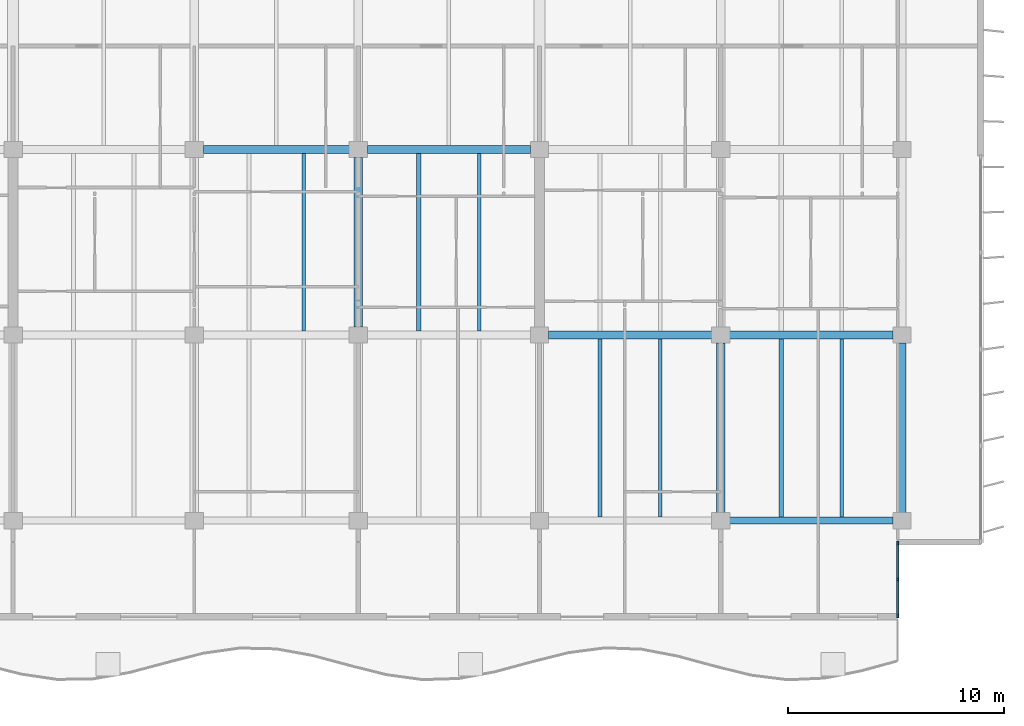
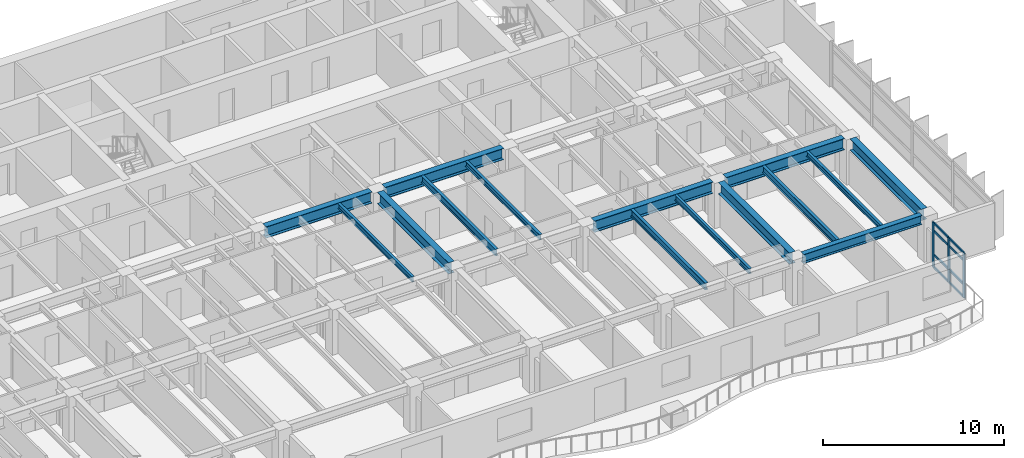
# One storey, part 4 of 19: 15 beams, 11 members, 1 element without a shape of its own.
"""IFC4 building model written with IfcOpenShell, lengths in metres."""

import ifcopenshell
import ifcopenshell.guid

model = None  # the IFC model being written
_history = None  # IfcOwnerHistory: only IFC2X3 demands one
_inside = {}  # id of a spatial element -> (the spatial element, [elements in it])
_under = {}  # id of a project, library or spatial element -> (it, [spatial elements below it])
_declared = {}  # id of a project -> (the project, [libraries it declares])
_typed = {}  # id of a type object -> (the type object, [elements of that type])
_made_of = {}  # id of a material, layer set ... -> (it, [elements and type objects made of it])


def new_model(schema):
    """Start an empty IFC model of exactly this schema.

    Asked for "IFC4X3", IfcOpenShell would pick the latest addendum, in which some entities
    have other attributes; the version numbers below select the first issue.
    IFC2X3 requires an IfcOwnerHistory on every rooted entity: one is made here for all.
    """
    global model, _history
    if schema == "IFC4X3":
        model = ifcopenshell.file(schema_version=(4, 3, 0, 0))
    else:
        model = ifcopenshell.file(schema=schema)
    _inside.clear()
    _under.clear()
    _declared.clear()
    _typed.clear()
    _made_of.clear()
    _history = None
    if model.schema == "IFC2X3":
        org = make("IfcOrganization", Name="unknown")
        user = make(
            "IfcPersonAndOrganization",
            ThePerson=make("IfcPerson", FamilyName="unknown"),
            TheOrganization=org,
        )
        app = make(
            "IfcApplication",
            ApplicationDeveloper=org,
            Version="unknown",
            ApplicationFullName="unknown",
            ApplicationIdentifier="unknown",
        )
        _history = make(
            "IfcOwnerHistory",
            OwningUser=user,
            OwningApplication=app,
            ChangeAction="ADDED",
            CreationDate=0,
        )
    return model


def make(cls, **values):
    """One entity of the class cls with the attributes given. An attribute that is None is left unset."""
    return model.create_entity(
        cls, **{name: value for name, value in values.items() if value is not None}
    )


def rooted(cls, **values):
    """An entity with a GlobalId (a new one), such as an element, a storey or a relation."""
    return make(cls, GlobalId=ifcopenshell.guid.new(), OwnerHistory=_history, **values)


def si_unit(unit_type, name, prefix=None):
    """IfcSIUnit, for example si_unit("LENGTHUNIT", "METRE", prefix="MILLI")."""
    return make("IfcSIUnit", UnitType=unit_type, Prefix=prefix, Name=name)


def assignment(units):
    """IfcUnitAssignment: the units of a project."""
    return None if units is None else make("IfcUnitAssignment", Units=units)


def point(xyz):
    """IfcCartesianPoint."""
    return None if xyz is None else make("IfcCartesianPoint", Coordinates=xyz)


def direction(xyz):
    """IfcDirection."""
    return None if xyz is None else make("IfcDirection", DirectionRatios=xyz)


def frame(location, z_axis=None, x_axis=None):
    """IfcAxis2Placement3D, a coordinate frame: its origin and axes. An axis left out is left unset."""
    return make(
        "IfcAxis2Placement3D",
        Location=point(location),
        Axis=direction(z_axis),
        RefDirection=direction(x_axis),
    )


def frame_2d(location, x_axis=None):
    """IfcAxis2Placement2D, a coordinate frame in the plane: its origin and x axis."""
    return make(
        "IfcAxis2Placement2D", Location=point(location), RefDirection=direction(x_axis)
    )


def origin():
    """The frame at (0, 0, 0) with its axes left unset."""
    return frame((0.0, 0.0, 0.0))


def origin_2d():
    """The frame at (0, 0) in the plane with its x axis left unset."""
    return frame_2d((0.0, 0.0))


def place(relative_to, where):
    """IfcLocalPlacement: puts the frame where relative to a parent placement (None: the world)."""
    return make(
        "IfcLocalPlacement", PlacementRelTo=relative_to, RelativePlacement=where
    )


def context(
    kind, dimensions, precision=None, world=None, true_north=None, identifier=None
):
    """IfcGeometricRepresentationContext, for example the 3D "Model" context."""
    return make(
        "IfcGeometricRepresentationContext",
        ContextIdentifier=identifier,
        ContextType=kind,
        CoordinateSpaceDimension=dimensions,
        Precision=precision,
        WorldCoordinateSystem=world,
        TrueNorth=true_north,
    )


def subcontext(parent, identifier, kind, view, scale=None):
    """IfcGeometricRepresentationSubContext, for example "Body" below "Model"."""
    return make(
        "IfcGeometricRepresentationSubContext",
        ContextIdentifier=identifier,
        ContextType=kind,
        ParentContext=parent,
        TargetScale=scale,
        TargetView=view,
    )


def project(units=None, contexts=None):
    """IfcProject with its units and contexts."""
    return rooted(
        "IfcProject",
        Name="project",
        RepresentationContexts=contexts,
        UnitsInContext=assignment(units),
    )


def spatial(cls, under=None, at=None, **own):
    """A site, building, storey or space (cls), placed at a placement, below another one or the project."""
    s = rooted(cls, ObjectPlacement=at, **own)
    if under is not None:
        _under.setdefault(under.id(), (under, []))[1].append(s)
    return s


def profile(cls, at=None, kind="AREA", **sizes):
    """A parametric profile (cls). Its sizes go by their IFC names, for example OverallWidth=200.0."""
    return make(cls, ProfileType=kind, Position=at, **sizes)


def rectangle(**sizes):
    """IfcRectangleProfileDef."""
    return profile("IfcRectangleProfileDef", **sizes)


def i_section(**sizes):
    """IfcIShapeProfileDef."""
    return profile("IfcIShapeProfileDef", **sizes)


def extrude(swept, where, along, depth):
    """IfcExtrudedAreaSolid: the profile swept, set in the frame where, extruded along a direction by depth."""
    return make(
        "IfcExtrudedAreaSolid",
        SweptArea=swept,
        Position=where,
        ExtrudedDirection=direction(along),
        Depth=depth,
    )


def shape(context_of_items, identifier, shape_type, items):
    """IfcShapeRepresentation: the items that make up one representation, for example the "Body"."""
    return make(
        "IfcShapeRepresentation",
        ContextOfItems=context_of_items,
        RepresentationIdentifier=identifier,
        RepresentationType=shape_type,
        Items=items,
    )


def material(Name=None, Category=None):
    """IfcMaterial."""
    return make("IfcMaterial", Name=Name, Category=Category)


def layer(
    of_material, thickness, ventilated=None, Name=None, Category=None, Priority=None
):
    """IfcMaterialLayer: one layer of a wall or slab, of a material (None: an air gap)."""
    return make(
        "IfcMaterialLayer",
        Material=of_material,
        LayerThickness=thickness,
        IsVentilated=ventilated,
        Name=Name,
        Category=Category,
        Priority=Priority,
    )


def layer_set(layers, Name=None):
    """IfcMaterialLayerSet."""
    return make("IfcMaterialLayerSet", MaterialLayers=layers, LayerSetName=Name)


def material_profile(
    of_material, cross_section, Name=None, Category=None, Priority=None
):
    """IfcMaterialProfile: a cross section and its material."""
    return make(
        "IfcMaterialProfile",
        Name=Name,
        Material=of_material,
        Profile=cross_section,
        Priority=Priority,
        Category=Category,
    )


def profile_set(profiles, Name=None, composite=None):
    """IfcMaterialProfileSet."""
    return make(
        "IfcMaterialProfileSet",
        Name=Name,
        MaterialProfiles=profiles,
        CompositeProfile=composite,
    )


def made_of(thing, what):
    """Note that an element or type object is made of a material, layer set ...; save() writes the relation."""
    if what is not None:
        _made_of.setdefault(what.id(), (what, []))[1].append(thing)
    return thing


def type_object(cls, material=None, **own):
    """A type object (cls), such as IfcWallType, which elements share."""
    return made_of(rooted(cls, **own), material)


def element(
    cls,
    number,
    at=None,
    inside=None,
    cuts=None,
    type_object=None,
    material=None,
    context=None,
    identifier="Body",
    shape_type=None,
    held_by="IfcProductDefinitionShape",
    body=None,
    shapes=None,
    **own,
):
    """One element of the class cls, such as IfcWall. Its Tag is "e" and its number.

    at: its placement. inside: the storey or other place that contains it. cuts: it is an
    opening in that element (IfcRelVoidsElement). A single representation is given by context,
    identifier, shape_type and body (its items); several are given by shapes. held_by: the class
    of the entity that holds the representations. save() writes the other relations.
    """
    e = rooted(cls, Tag="e%d" % number, ObjectPlacement=at, **own)
    if body is not None:
        shapes = [shape(context, identifier, shape_type, body)]
    if shapes is not None:
        e.Representation = make(held_by, Representations=shapes)
    if inside is not None:
        _inside.setdefault(inside.id(), (inside, []))[1].append(e)
    if cuts is not None:
        rooted(
            "IfcRelVoidsElement", RelatingBuildingElement=cuts, RelatedOpeningElement=e
        )
    if type_object is not None:
        _typed.setdefault(type_object.id(), (type_object, []))[1].append(e)
    return made_of(e, material)


def aggregate(whole, parts):
    """IfcRelAggregates: a whole, such as a stair, and the parts it consists of."""
    return rooted("IfcRelAggregates", RelatingObject=whole, RelatedObjects=parts)


def save(model, path):
    """Write the relations noted so far, then the file.

    IfcRelAggregates (storeys below a building ...), IfcRelContainedInSpatialStructure (elements
    in a storey), IfcRelDefinesByType, IfcRelAssociatesMaterial and IfcRelDeclares: one each for
    every whole, place, type object, material and project.
    """
    for whole, parts in _under.values():
        aggregate(whole, parts)
    for where, things in _inside.values():
        rooted(
            "IfcRelContainedInSpatialStructure",
            RelatedElements=things,
            RelatingStructure=where,
        )
    for kind, things in _typed.values():
        rooted("IfcRelDefinesByType", RelatedObjects=things, RelatingType=kind)
    for what, things in _made_of.values():
        rooted("IfcRelAssociatesMaterial", RelatedObjects=things, RelatingMaterial=what)
    for by, libraries in _declared.values():
        rooted("IfcRelDeclares", RelatingContext=by, RelatedDefinitions=libraries)
    model.write(path)


model = new_model("IFC4")

# Units and contexts
model_context = context("Model", 3, precision=1e-05, world=origin(), true_north=direction((0.0, 1.0)))
body_context = subcontext(model_context, "Body", "Model", "MODEL_VIEW")
ifc_project = project(units=[si_unit("LENGTHUNIT", "METRE"), si_unit("AREAUNIT", "SQUARE_METRE"), si_unit("VOLUMEUNIT", "CUBIC_METRE"), si_unit("PLANEANGLEUNIT", "RADIAN"), si_unit("MASSUNIT", "GRAM", prefix="KILO")], contexts=[model_context])

# Site, building, storey
site_placement = place(None, origin())
site = spatial("IfcSite", under=ifc_project, at=site_placement, CompositionType="ELEMENT")
building_placement = place(site_placement, origin())
building = spatial("IfcBuilding", under=site, at=building_placement, Name="Caelmar Bay Residences", CompositionType="ELEMENT")
storey_placement = place(building_placement, frame((0.0, 0.0, 160.5)))
storey = spatial("IfcBuildingStorey", under=building, at=storey_placement, Name="L44", CompositionType="ELEMENT", Elevation=160.5)

# Beams
ifc_material_1 = material(Name="Steel ASTM A992 Grade 50", Category="steel")
ifc_material_profile_1 = material_profile(ifc_material_1, i_section(OverallWidth=0.381103515625, OverallDepth=0.77197265625, WebThickness=0.0166015625, FlangeThickness=0.027099609375, FilletRadius=0.0166015625, at=origin_2d()), Name="W30X173")
ifc_profile_set_1 = profile_set([ifc_material_profile_1], Name="Steel ASTM A992 Grade 50")
beam_type_1 = type_object("IfcBeamType", Name="BM-GRD-W30X173", PredefinedType="BEAM", material=ifc_profile_set_1)
for number, where, z_axis, x_axis, name in (
    (1, (51.514892578125, 20.800048828125, 2.6640625), (1.0, 0.0, 0.0), (0.0, 1.0, 0.0), "L44 East-West Girder Y=20.80 (51.1-59.5)"),
    (2, (59.9150390625, 20.800048828125, 2.6640625), (1.0, 0.0, 0.0), (0.0, 1.0, 0.0), "L44 East-West Girder Y=20.80 (59.5-67.9)"),
):
    element("IfcBeam", number, at=place(storey_placement, frame(where, z_axis=z_axis, x_axis=x_axis)), inside=storey, type_object=beam_type_1, Name=name, PredefinedType="BEAM", context=body_context, shape_type="SweptSolid", body=[
        extrude(i_section(OverallWidth=0.381103515625, OverallDepth=0.77197265625, WebThickness=0.0166015625, FlangeThickness=0.027099609375, FilletRadius=0.0166015625, at=origin_2d()), origin(), (0.0, 0.0, 1.0), 7.570068359375),
    ])
beam_1_placement = place(storey_placement, frame((35.514892578125, 29.39990234375, 2.6640625), z_axis=(1.0, 0.0, 0.0), x_axis=(0.0, 1.0, 0.0)))
element("IfcBeam", 3, at=beam_1_placement, inside=storey, type_object=beam_type_1, Name="L44 East-West Girder Y=29.40 (35.1-42.7)", PredefinedType="BEAM", context=body_context, shape_type="SweptSolid", body=[
    extrude(i_section(OverallWidth=0.381103515625, OverallDepth=0.77197265625, WebThickness=0.0166015625, FlangeThickness=0.027099609375, FilletRadius=0.0166015625, at=origin_2d()), origin(), (0.0, 0.0, 1.0), 6.77001953125),
])
beam_2_placement = place(storey_placement, frame((43.114990234375, 29.39990234375, 2.6640625), z_axis=(1.0, 0.0, 0.0), x_axis=(0.0, 1.0, 0.0)))
element("IfcBeam", 4, at=beam_2_placement, inside=storey, type_object=beam_type_1, Name="L44 East-West Girder Y=29.40 (42.7-51.1)", PredefinedType="BEAM", context=body_context, shape_type="SweptSolid", body=[
    extrude(i_section(OverallWidth=0.381103515625, OverallDepth=0.77197265625, WebThickness=0.0166015625, FlangeThickness=0.027099609375, FilletRadius=0.0166015625, at=origin_2d()), origin(), (0.0, 0.0, 1.0), 7.570068359375),
])
beam_3_placement = place(storey_placement, frame((42.699951171875, 21.1650390625, 2.6640625), z_axis=(0.0, 1.0, 0.0), x_axis=(-1.0, 0.0, 0.0)))
element("IfcBeam", 5, at=beam_3_placement, inside=storey, type_object=beam_type_1, Name="L44 North-South Girder X=42.70 (20.8-29.4)", PredefinedType="BEAM", context=body_context, shape_type="SweptSolid", body=[
    extrude(i_section(OverallWidth=0.381103515625, OverallDepth=0.77197265625, WebThickness=0.0166015625, FlangeThickness=0.027099609375, FilletRadius=0.0166015625, at=origin_2d()), origin(), (0.0, 0.0, 1.0), 7.869873046875),
])
for number, where, z_axis, x_axis, name in (
    (6, (59.5, 12.56494140625, 2.6640625), (0.0, 1.0, 0.0), (-1.0, 0.0, 0.0), "L44 North-South Girder X=59.50 (12.2-20.8)"),
    (7, (67.89990234375, 12.56494140625, 2.6640625), (0.0, 1.0, 0.0), (-1.0, 0.0, 0.0), "L44 North-South Girder X=67.90 (12.2-20.8)"),
):
    element("IfcBeam", number, at=place(storey_placement, frame(where, z_axis=z_axis, x_axis=x_axis)), inside=storey, type_object=beam_type_1, Name=name, PredefinedType="BEAM", context=body_context, shape_type="SweptSolid", body=[
        extrude(i_section(OverallWidth=0.381103515625, OverallDepth=0.77197265625, WebThickness=0.0166015625, FlangeThickness=0.027099609375, FilletRadius=0.0166015625, at=origin_2d()), origin(), (0.0, 0.0, 1.0), 7.8701171875),
    ])
ifc_material_profile_2 = material_profile(ifc_material_1, i_section(OverallWidth=0.1708984375, OverallDepth=0.35595703125, WebThickness=0.007080078125, FlangeThickness=0.01171875, FilletRadius=0.007568359375, at=origin_2d()), Name="W14X34")
ifc_profile_set_2 = profile_set([ifc_material_profile_2], Name="Steel ASTM A992 Grade 50")
beam_type_2 = type_object("IfcBeamType", Name="BM-JST-W14X34", PredefinedType="JOIST", material=ifc_profile_set_2)
for number, where, z_axis, x_axis, name in (
    (8, (56.699951171875, 12.362548828125, 2.8720703125), (0.0, 1.0, 0.0), (-1.0, 0.0, 0.0), "L44 Composite Floor Joist 12"),
    (9, (65.10009765625, 12.362548828125, 2.8720703125), (0.0, 1.0, 0.0), (-1.0, 0.0, 0.0), "L44 Composite Floor Joist 14"),
):
    element("IfcBeam", number, at=place(storey_placement, frame(where, z_axis=z_axis, x_axis=x_axis)), inside=storey, type_object=beam_type_2, Name=name, PredefinedType="JOIST", context=body_context, shape_type="SweptSolid", body=[
        extrude(i_section(OverallWidth=0.1708984375, OverallDepth=0.35595703125, WebThickness=0.007080078125, FlangeThickness=0.01171875, FilletRadius=0.007568359375, at=origin_2d()), origin(), (0.0, 0.0, 1.0), 8.2470703125),
    ])
for number, where, z_axis, x_axis, name in (
    (10, (40.166748046875, 20.990478515625, 2.8720703125), (0.0, 1.0, 0.0), (-1.0, 0.0, 0.0), "L44 Composite Floor Joist 22"),
    (11, (48.300048828125, 20.990478515625, 2.8720703125), (0.0, 1.0, 0.0), (-1.0, 0.0, 0.0), "L44 Composite Floor Joist 24"),
):
    element("IfcBeam", number, at=place(storey_placement, frame(where, z_axis=z_axis, x_axis=x_axis)), inside=storey, type_object=beam_type_2, Name=name, PredefinedType="JOIST", context=body_context, shape_type="SweptSolid", body=[
        extrude(i_section(OverallWidth=0.1708984375, OverallDepth=0.35595703125, WebThickness=0.007080078125, FlangeThickness=0.01171875, FilletRadius=0.007568359375, at=origin_2d()), origin(), (0.0, 0.0, 1.0), 8.218994140625),
    ])
ifc_material_profile_3 = material_profile(ifc_material_1, i_section(OverallWidth=0.19091796875, OverallDepth=0.45703125, WebThickness=0.009033203125, FlangeThickness=0.014404296875, FilletRadius=0.01025390625, at=origin_2d()), Name="W18X50")
ifc_profile_set_3 = profile_set([ifc_material_profile_3], Name="Steel ASTM A992 Grade 50")
beam_type_3 = type_object("IfcBeamType", Name="BM-JST-W18X50", PredefinedType="JOIST", material=ifc_profile_set_3)
for number, where, z_axis, x_axis, name in (
    (12, (53.89990234375, 12.362548828125, 2.821533203125), (0.0, 1.0, 0.0), (-1.0, 0.0, 0.0), "L44 Composite Floor Joist 11"),
    (13, (62.300048828125, 12.362548828125, 2.821533203125), (0.0, 1.0, 0.0), (-1.0, 0.0, 0.0), "L44 Composite Floor Joist 13"),
):
    element("IfcBeam", number, at=place(storey_placement, frame(where, z_axis=z_axis, x_axis=x_axis)), inside=storey, type_object=beam_type_3, Name=name, PredefinedType="JOIST", context=body_context, shape_type="SweptSolid", body=[
        extrude(i_section(OverallWidth=0.19091796875, OverallDepth=0.45703125, WebThickness=0.009033203125, FlangeThickness=0.014404296875, FilletRadius=0.01025390625, at=origin_2d()), origin(), (0.0, 0.0, 1.0), 8.2470703125),
    ])
beam_4_placement = place(storey_placement, frame((45.5, 20.990478515625, 2.821533203125), z_axis=(0.0, 1.0, 0.0), x_axis=(-1.0, 0.0, 0.0)))
element("IfcBeam", 14, at=beam_4_placement, inside=storey, type_object=beam_type_3, Name="L44 Composite Floor Joist 23", PredefinedType="JOIST", context=body_context, shape_type="SweptSolid", body=[
    extrude(i_section(OverallWidth=0.19091796875, OverallDepth=0.45703125, WebThickness=0.009033203125, FlangeThickness=0.014404296875, FilletRadius=0.01025390625, at=origin_2d()), origin(), (0.0, 0.0, 1.0), 8.218994140625),
])
ifc_material_profile_4 = material_profile(ifc_material_1, i_section(OverallWidth=0.324951171875, OverallDepth=0.616943359375, WebThickness=0.013916015625, FlangeThickness=0.021484375, FilletRadius=0.0126953125, at=origin_2d()), Name="W24X117")
ifc_profile_set_4 = profile_set([ifc_material_profile_4], Name="Steel ASTM A992 Grade 50")
beam_type_4 = type_object("IfcBeamType", Name="BM-SPN-W24X117", PredefinedType="SPANDREL", material=ifc_profile_set_4)
beam_5_placement = place(storey_placement, frame((59.9150390625, 12.199951171875, 2.741455078125), z_axis=(1.0, 0.0, 0.0), x_axis=(0.0, 1.0, 0.0)))
element("IfcBeam", 15, at=beam_5_placement, inside=storey, type_object=beam_type_4, Name="L44 East-West Girder Y=12.20 (59.5-67.9)", PredefinedType="SPANDREL", context=body_context, shape_type="SweptSolid", body=[
    extrude(i_section(OverallWidth=0.324951171875, OverallDepth=0.616943359375, WebThickness=0.013916015625, FlangeThickness=0.021484375, FilletRadius=0.0126953125, at=origin_2d()), origin(), (0.0, 0.0, 1.0), 7.570068359375),
])

# Curtain wall, members
ifc_material_2 = material(Name="Anodised bronze aluminium 6063-T6 and laminated glass", Category="aluminium")
ifc_layer = layer(ifc_material_2, 0.179931640625)
ifc_layer_set = layer_set([ifc_layer], Name="Anodised bronze aluminium 6063-T6 and laminated glass")
curtain_wall_type = type_object("IfcCurtainWallType", Name="CW6-NTC", PredefinedType="NOTDEFINED", material=ifc_layer_set)
curtain_wall_placement = place(storey_placement, origin())
curtain_wall = element("IfcCurtainWall", 16, at=curtain_wall_placement, inside=storey, type_object=curtain_wall_type, Name="CW6 curtain wall L44", PredefinedType="NOTDEFINED")
ifc_material_3 = material(Name="Anodised bronze aluminium 6063-T6", Category="aluminium")
ifc_material_profile_5 = material_profile(ifc_material_3, rectangle(XDim=0.080078125, YDim=0.179931640625, at=origin_2d()), Name="CWM-80X180")
ifc_profile_set_5 = profile_set([ifc_material_profile_5], Name="Anodised bronze aluminium 6063-T6")
member_type_1 = type_object("IfcMemberType", Name="CWM-180", PredefinedType="MULLION", material=ifc_profile_set_5)
member_1_placement = place(storey_placement, frame((67.699951171875, 7.7900390625, 0.0), z_axis=(0.0, 0.0, 1.0), x_axis=(-1.0, 0.0, 0.0)))
member_1 = element("IfcMember", 17, at=member_1_placement, type_object=member_type_1, Name="CW6 mullion 1", PredefinedType="MULLION", context=body_context, shape_type="SweptSolid", body=[
    extrude(rectangle(XDim=0.080078125, YDim=0.179931640625, at=origin_2d()), origin(), (0.0, 0.0, 1.0), 3.050048828125),
])
member_2_placement = place(storey_placement, frame((67.699951171875, 9.47509765625, 0.0), z_axis=(0.0, 0.0, 1.0), x_axis=(-1.0, 0.0, 0.0)))
member_2 = element("IfcMember", 18, at=member_2_placement, type_object=member_type_1, Name="CW6 mullion 2", PredefinedType="MULLION", context=body_context, shape_type="SweptSolid", body=[
    extrude(rectangle(XDim=0.080078125, YDim=0.179931640625, at=origin_2d()), origin(), (0.0, 0.0, 1.0), 3.050048828125),
])
member_3_placement = place(storey_placement, frame((67.699951171875, 11.159912109375, 0.0), z_axis=(0.0, 0.0, 1.0), x_axis=(-1.0, 0.0, 0.0)))
member_3 = element("IfcMember", 19, at=member_3_placement, type_object=member_type_1, Name="CW6 mullion 3", PredefinedType="MULLION", context=body_context, shape_type="SweptSolid", body=[
    extrude(rectangle(XDim=0.080078125, YDim=0.179931640625, at=origin_2d()), origin(), (0.0, 0.0, 1.0), 3.050048828125),
])
ifc_material_profile_6 = material_profile(ifc_material_3, rectangle(XDim=0.080078125, YDim=0.139892578125, at=origin_2d()), Name="CWT-80X140")
ifc_profile_set_6 = profile_set([ifc_material_profile_6], Name="Anodised bronze aluminium 6063-T6")
member_type_2 = type_object("IfcMemberType", Name="CWT-140", PredefinedType="NOTDEFINED", material=ifc_profile_set_6)
member_4_placement = place(storey_placement, frame((67.699951171875, 7.830078125, 0.0400390625), z_axis=(0.0, 1.0, 0.0), x_axis=(-1.0, 0.0, 0.0)))
member_4 = element("IfcMember", 20, at=member_4_placement, type_object=member_type_2, Name="CW6 transom 1.1", ObjectType="TRANSOM", PredefinedType="USERDEFINED", context=body_context, shape_type="SweptSolid", body=[
    extrude(rectangle(XDim=0.080078125, YDim=0.139892578125, at=origin_2d()), origin(), (0.0, 0.0, 1.0), 1.60498046875),
])
member_5_placement = place(storey_placement, frame((67.699951171875, 7.830078125, 0.89990234375), z_axis=(0.0, 1.0, 0.0), x_axis=(-1.0, 0.0, 0.0)))
member_5 = element("IfcMember", 21, at=member_5_placement, type_object=member_type_2, Name="CW6 transom 1.2", ObjectType="TRANSOM", PredefinedType="USERDEFINED", context=body_context, shape_type="SweptSolid", body=[
    extrude(rectangle(XDim=0.080078125, YDim=0.139892578125, at=origin_2d()), origin(), (0.0, 0.0, 1.0), 1.60498046875),
])
member_6_placement = place(storey_placement, frame((67.699951171875, 7.830078125, 2.5), z_axis=(0.0, 1.0, 0.0), x_axis=(-1.0, 0.0, 0.0)))
member_6 = element("IfcMember", 22, at=member_6_placement, type_object=member_type_2, Name="CW6 transom 1.3", ObjectType="TRANSOM", PredefinedType="USERDEFINED", context=body_context, shape_type="SweptSolid", body=[
    extrude(rectangle(XDim=0.080078125, YDim=0.139892578125, at=origin_2d()), origin(), (0.0, 0.0, 1.0), 1.60498046875),
])
member_7_placement = place(storey_placement, frame((67.699951171875, 7.830078125, 3.010009765625), z_axis=(0.0, 1.0, 0.0), x_axis=(-1.0, 0.0, 0.0)))
member_7 = element("IfcMember", 23, at=member_7_placement, type_object=member_type_2, Name="CW6 transom 1.4", ObjectType="TRANSOM", PredefinedType="USERDEFINED", context=body_context, shape_type="SweptSolid", body=[
    extrude(rectangle(XDim=0.080078125, YDim=0.139892578125, at=origin_2d()), origin(), (0.0, 0.0, 1.0), 1.60498046875),
])
member_8_placement = place(storey_placement, frame((67.699951171875, 9.514892578125, 0.0400390625), z_axis=(0.0, 1.0, 0.0), x_axis=(-1.0, 0.0, 0.0)))
member_8 = element("IfcMember", 24, at=member_8_placement, type_object=member_type_2, Name="CW6 transom 2.1", ObjectType="TRANSOM", PredefinedType="USERDEFINED", context=body_context, shape_type="SweptSolid", body=[
    extrude(rectangle(XDim=0.080078125, YDim=0.139892578125, at=origin_2d()), origin(), (0.0, 0.0, 1.0), 1.605224609375),
])
member_9_placement = place(storey_placement, frame((67.699951171875, 9.514892578125, 0.89990234375), z_axis=(0.0, 1.0, 0.0), x_axis=(-1.0, 0.0, 0.0)))
member_9 = element("IfcMember", 25, at=member_9_placement, type_object=member_type_2, Name="CW6 transom 2.2", ObjectType="TRANSOM", PredefinedType="USERDEFINED", context=body_context, shape_type="SweptSolid", body=[
    extrude(rectangle(XDim=0.080078125, YDim=0.139892578125, at=origin_2d()), origin(), (0.0, 0.0, 1.0), 1.605224609375),
])
member_10_placement = place(storey_placement, frame((67.699951171875, 9.514892578125, 2.5), z_axis=(0.0, 1.0, 0.0), x_axis=(-1.0, 0.0, 0.0)))
member_10 = element("IfcMember", 26, at=member_10_placement, type_object=member_type_2, Name="CW6 transom 2.3", ObjectType="TRANSOM", PredefinedType="USERDEFINED", context=body_context, shape_type="SweptSolid", body=[
    extrude(rectangle(XDim=0.080078125, YDim=0.139892578125, at=origin_2d()), origin(), (0.0, 0.0, 1.0), 1.605224609375),
])
member_11_placement = place(storey_placement, frame((67.699951171875, 9.514892578125, 3.010009765625), z_axis=(0.0, 1.0, 0.0), x_axis=(-1.0, 0.0, 0.0)))
member_11 = element("IfcMember", 27, at=member_11_placement, type_object=member_type_2, Name="CW6 transom 2.4", ObjectType="TRANSOM", PredefinedType="USERDEFINED", context=body_context, shape_type="SweptSolid", body=[
    extrude(rectangle(XDim=0.080078125, YDim=0.139892578125, at=origin_2d()), origin(), (0.0, 0.0, 1.0), 1.605224609375),
])
aggregate(curtain_wall, [member_1, member_2, member_3, member_4, member_5, member_6, member_7, member_8, member_9, member_10, member_11])

save(model, "model.ifc")
